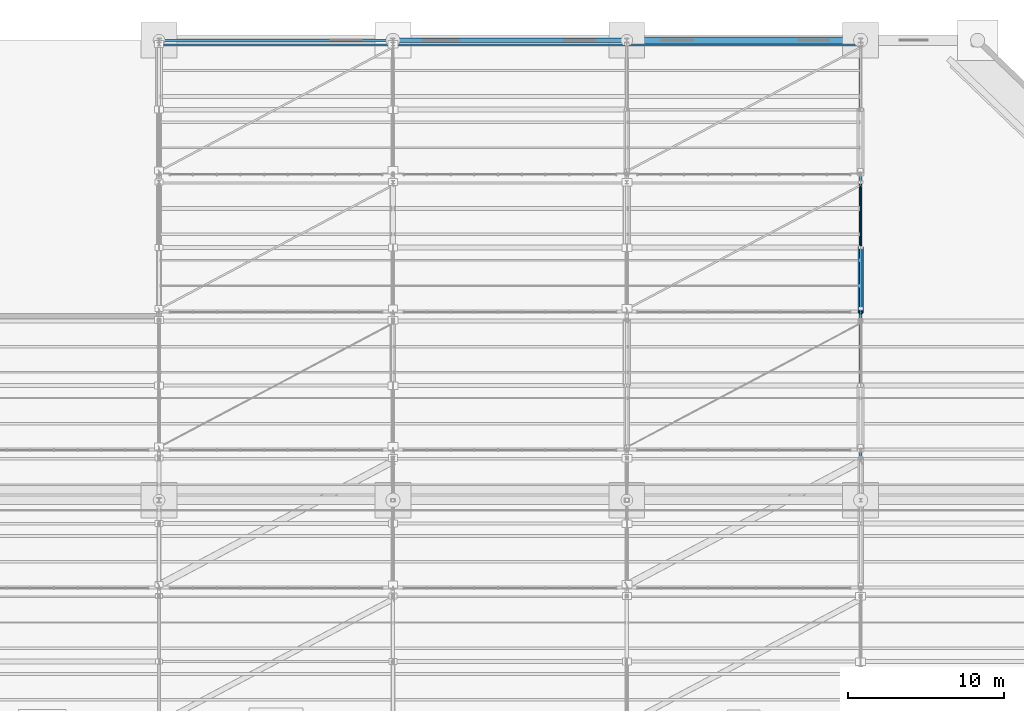
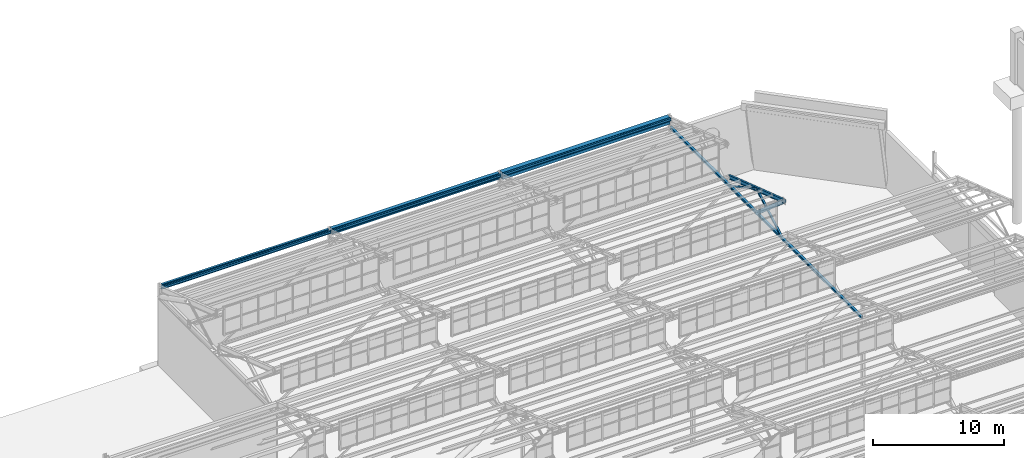
# One storey, part 138 of 285: 8 beams, 3 members.
"""IFC4 building model written with IfcOpenShell, lengths in metres."""

from ifc_helpers import new_model, si_unit, direction, frame, origin, origin_2d, place, context, subcontext, project, spatial, rectangle, hollow_rectangle, hollow_circle, i_section, extrude, material, material_profile, profile_set, type_object, element, save


model = new_model("IFC4")

# Units and contexts
model_context = context("Model", 3, precision=1e-05, world=origin(), true_north=direction((0.0, 1.0)))
body_context = subcontext(model_context, "Body", "Model", "MODEL_VIEW")
ifc_project = project(units=[si_unit("LENGTHUNIT", "METRE"), si_unit("AREAUNIT", "SQUARE_METRE"), si_unit("VOLUMEUNIT", "CUBIC_METRE"), si_unit("PLANEANGLEUNIT", "RADIAN"), si_unit("MASSUNIT", "GRAM", prefix="KILO")], contexts=[model_context])

# Site, building, storey
site_placement = place(None, origin())
site = spatial("IfcSite", under=ifc_project, at=site_placement, CompositionType="ELEMENT")
building_placement = place(site_placement, origin())
building = spatial("IfcBuilding", under=site, at=building_placement, Name="Solanera Park Tramway Depot", CompositionType="ELEMENT")
storey_placement = place(building_placement, origin())
storey = spatial("IfcBuildingStorey", under=building, at=storey_placement, Name="L00", CompositionType="ELEMENT", Elevation=0.0)

# Beams
ifc_material_1 = material(Name="Steel AS/NZS 3679.1 Grade 350", Category="steel")
ifc_material_profile_1 = material_profile(ifc_material_1, i_section(OverallWidth=0.1904296875, OverallDepth=0.45751953125, WebThickness=0.009033203125, FlangeThickness=0.014404296875, at=origin_2d()), Name="460UB74.6")
ifc_profile_set_1 = profile_set([ifc_material_profile_1], Name="Steel AS/NZS 3679.1 Grade 350")
beam_type_1 = type_object("IfcBeamType", Name="Perimeter Spandrel Beam 460UB74.6", PredefinedType="SPANDREL", material=ifc_profile_set_1)
beam_1_placement = place(storey_placement, frame((90.1201171875, 144.0, 7.271240234375), z_axis=(1.0, 0.0, 0.0), x_axis=(0.0, 1.0, 0.0)))
element("IfcBeam", 1, at=beam_1_placement, inside=storey, type_object=beam_type_1, Name="L00 Hall Eave Spandrel 460UB74.6 #0289", PredefinedType="SPANDREL", context=body_context, shape_type="SweptSolid", body=[
    extrude(i_section(OverallWidth=0.1904296875, OverallDepth=0.45751953125, WebThickness=0.009033203125, FlangeThickness=0.014404296875, at=origin_2d()), origin(), (0.0, 0.0, 1.0), 14.759765625),
])
ifc_material_2 = material(Name="Concrete N40 (C40/50)", Category="concrete")
ifc_material_profile_2 = material_profile(ifc_material_2, rectangle(XDim=0.300048828125, YDim=0.550048828125, at=origin_2d()), Name="SPB 300x550")
ifc_profile_set_2 = profile_set([ifc_material_profile_2], Name="Concrete N40 (C40/50)")
beam_type_2 = type_object("IfcBeamType", Name="Perimeter Spandrel Beam SPB 300x550", PredefinedType="SPANDREL", material=ifc_profile_set_2)
beam_2_placement = place(storey_placement, frame((105.1201171875, 144.0, 7.22509765625), z_axis=(1.0, 0.0, 0.0), x_axis=(0.0, 1.0, 0.0)))
element("IfcBeam", 2, at=beam_2_placement, inside=storey, type_object=beam_type_2, Name="L00 Hall Eave Spandrel SPB 300x550 #0291", PredefinedType="SPANDREL", context=body_context, shape_type="SweptSolid", body=[
    extrude(rectangle(XDim=0.300048828125, YDim=0.550048828125, at=origin_2d()), origin(), (0.0, 0.0, 1.0), 14.759765625),
])
ifc_material_3 = material(Name="Concrete N40 (C40/50)", Category="concrete")
ifc_material_profile_3 = material_profile(ifc_material_3, rectangle(XDim=0.39990234375, YDim=0.64990234375, at=origin_2d()), Name="SPB 400x650")
ifc_profile_set_3 = profile_set([ifc_material_profile_3], Name="Concrete N40 (C40/50)")
beam_type_3 = type_object("IfcBeamType", Name="Perimeter Spandrel Beam SPB 400x650", PredefinedType="SPANDREL", material=ifc_profile_set_3)
beam_3_placement = place(storey_placement, frame((120.1201171875, 144.0, 7.175048828125), z_axis=(1.0, 0.0, 0.0), x_axis=(0.0, 1.0, 0.0)))
element("IfcBeam", 3, at=beam_3_placement, inside=storey, type_object=beam_type_3, Name="L00 Hall Eave Spandrel SPB 400x650 #0293", PredefinedType="SPANDREL", context=body_context, shape_type="SweptSolid", body=[
    extrude(rectangle(XDim=0.39990234375, YDim=0.64990234375, at=origin_2d()), origin(), (0.0, 0.0, 1.0), 14.759765625),
])

# Member
ifc_material_4 = material(Name="Steel AS/NZS 1163 Grade C350L0", Category="steel")
ifc_material_profile_4 = material_profile(ifc_material_4, hollow_rectangle(XDim=0.14990234375, YDim=0.14990234375, WallThickness=0.006103515625, at=origin_2d()), Name="150x150x6.0 SHS")
ifc_profile_set_4 = profile_set([ifc_material_profile_4], Name="Steel AS/NZS 1163 Grade C350L0")
member_type_1 = type_object("IfcMemberType", Name="Roof Gantry Compression Strut 150x150x6.0 SHS", PredefinedType="STRUT", material=ifc_profile_set_4)
member_1_placement = place(storey_placement, frame((135.0, 126.800048828125, 6.5), z_axis=(0.0, 0.869202540842, 0.49445620938), x_axis=(-1.0, 0.0, 0.0)))
element("IfcMember", 4, at=member_1_placement, inside=storey, type_object=member_type_1, Name="Sawtooth ROOF TRUSS Strut 150x150x6.0 SHS #0390", PredefinedType="STRUT", context=body_context, shape_type="SweptSolid", body=[
    extrude(hollow_rectangle(XDim=0.14990234375, YDim=0.14990234375, WallThickness=0.006103515625, at=origin_2d()), origin(), (0.0, 0.0, 1.0), 4.48681640625),
])

# Beams
ifc_material_5 = material(Name="Steel AS/NZS 3679.1 Grade 350", Category="steel")
ifc_material_profile_5 = material_profile(ifc_material_5, i_section(OverallWidth=0.203369140625, OverallDepth=0.203369140625, WebThickness=0.00732421875, FlangeThickness=0.010986328125, at=origin_2d()), Name="200UC46.2")
ifc_profile_set_5 = profile_set([ifc_material_profile_5], Name="Steel AS/NZS 3679.1 Grade 350")
beam_type_4 = type_object("IfcBeamType", Name="Steel Beam 200UC46.2", PredefinedType="BEAM", material=ifc_profile_set_5)
beam_4_placement = place(storey_placement, frame((135.0, 114.601806640625, 6.5), z_axis=(0.0, 1.0, 0.0), x_axis=(-1.0, 0.0, 0.0)))
element("IfcBeam", 5, at=beam_4_placement, inside=storey, type_object=beam_type_4, Name="Sawtooth ROOF TRUSS Bottom Chord 200UC46.2 #0396", PredefinedType="BEAM", context=body_context, shape_type="SweptSolid", body=[
    extrude(i_section(OverallWidth=0.203369140625, OverallDepth=0.203369140625, WebThickness=0.00732421875, FlangeThickness=0.010986328125, at=origin_2d()), origin(), (0.0, 0.0, 1.0), 29.2705078125),
])
ifc_material_6 = material(Name="Steel AS/NZS 3679.1 Grade 350", Category="steel")
ifc_material_profile_6 = material_profile(ifc_material_6, i_section(OverallWidth=0.17138671875, OverallDepth=0.355712890625, WebThickness=0.00732421875, FlangeThickness=0.011474609375, at=origin_2d()), Name="360UB50.7")
ifc_profile_set_6 = profile_set([ifc_material_profile_6], Name="Steel AS/NZS 3679.1 Grade 350")
beam_type_5 = type_object("IfcBeamType", Name="Steel Beam 360UB50.7", PredefinedType="BEAM", material=ifc_profile_set_6)
beam_5_placement = place(storey_placement, frame((135.0, 126.550048828125, 10.10693359375), z_axis=(0.0, 0.948319437663, -0.317317261034), x_axis=(-1.0, 0.0, 0.0)))
element("IfcBeam", 6, at=beam_5_placement, inside=storey, type_object=beam_type_5, Name="Sawtooth ROOF TRUSS Top Rafter 360UB50.7 B09-T8", PredefinedType="BEAM", context=body_context, shape_type="SweptSolid", body=[
    extrude(i_section(OverallWidth=0.17138671875, OverallDepth=0.355712890625, WebThickness=0.00732421875, FlangeThickness=0.011474609375, at=origin_2d()), origin(), (0.0, 0.0, 1.0), 8.804931640625),
])
ifc_material_7 = material(Name="Steel AS/NZS 3679.1 Grade 350", Category="steel")
ifc_material_profile_7 = material_profile(ifc_material_7, i_section(OverallWidth=0.14599609375, OverallDepth=0.251708984375, WebThickness=0.006103515625, FlangeThickness=0.008544921875, at=origin_2d()), Name="250UB31.4")
ifc_profile_set_7 = profile_set([ifc_material_profile_7], Name="Steel AS/NZS 3679.1 Grade 350")
beam_type_6 = type_object("IfcBeamType", Name="Steel Joist Purlin 250UB31.4", PredefinedType="JOIST", material=ifc_profile_set_7)
beam_6_placement = place(storey_placement, frame((90.0966796875, 143.699951171875, 7.37939453125), z_axis=(1.0, 0.0, 0.0), x_axis=(0.0, 1.0, 0.0)))
element("IfcBeam", 7, at=beam_6_placement, inside=storey, type_object=beam_type_6, Name="Sawtooth Roof Purlin 250UB31.4 B10.6", PredefinedType="JOIST", context=body_context, shape_type="SweptSolid", body=[
    extrude(i_section(OverallWidth=0.14599609375, OverallDepth=0.251708984375, WebThickness=0.006103515625, FlangeThickness=0.008544921875, at=origin_2d()), origin(), (0.0, 0.0, 1.0), 14.828369140625),
])
beam_7_placement = place(storey_placement, frame((105.074951171875, 143.699951171875, 7.37939453125), z_axis=(1.0, 0.0, 0.0), x_axis=(0.0, 1.0, 0.0)))
element("IfcBeam", 8, at=beam_7_placement, inside=storey, type_object=beam_type_6, Name="Sawtooth Roof Purlin 250UB31.4 B10.6", PredefinedType="JOIST", context=body_context, shape_type="SweptSolid", body=[
    extrude(i_section(OverallWidth=0.14599609375, OverallDepth=0.251708984375, WebThickness=0.006103515625, FlangeThickness=0.008544921875, at=origin_2d()), origin(), (0.0, 0.0, 1.0), 14.84716796875),
])
beam_8_placement = place(storey_placement, frame((120.077880859375, 143.699951171875, 7.37939453125), z_axis=(1.0, 0.0, 0.0), x_axis=(0.0, 1.0, 0.0)))
element("IfcBeam", 9, at=beam_8_placement, inside=storey, type_object=beam_type_6, Name="Sawtooth Roof Purlin 250UB31.4 B10.6", PredefinedType="JOIST", context=body_context, shape_type="SweptSolid", body=[
    extrude(i_section(OverallWidth=0.14599609375, OverallDepth=0.251708984375, WebThickness=0.006103515625, FlangeThickness=0.008544921875, at=origin_2d()), origin(), (0.0, 0.0, 1.0), 14.84130859375),
])

# Members
ifc_material_8 = material(Name="Steel AS/NZS 1163 Grade C350L0", Category="steel")
ifc_material_profile_8 = material_profile(ifc_material_8, hollow_rectangle(XDim=0.050048828125, YDim=0.14990234375, WallThickness=0.0048828125, at=origin_2d()), Name="150x50x5.0 RHS")
ifc_profile_set_8 = profile_set([ifc_material_profile_8], Name="Steel AS/NZS 1163 Grade C350L0")
member_type_2 = type_object("IfcMemberType", Name="Truss and Frame Brace 150x50x5.0 RHS", PredefinedType="BRACE", material=ifc_profile_set_8)
member_2_placement = place(storey_placement, frame((135.0, 134.89990234375, 6.5), z_axis=(0.0, -0.884222622593, 0.467065684561), x_axis=(1.0, 0.0, 0.0)))
element("IfcMember", 10, at=member_2_placement, inside=storey, type_object=member_type_2, Name="Sawtooth ROOF TRUSS Diagonal 150x50x5.0 RHS #0389", PredefinedType="BRACE", context=body_context, shape_type="SweptSolid", body=[
    extrude(hollow_rectangle(XDim=0.050048828125, YDim=0.14990234375, WallThickness=0.0048828125, at=origin_2d()), origin(), (0.0, 0.0, 1.0), 4.75),
])
ifc_material_9 = material(Name="Steel AS/NZS 1163 Grade C350L0", Category="steel")
ifc_material_profile_9 = material_profile(ifc_material_9, hollow_circle(Radius=0.177734375, WallThickness=0.0126953125, at=origin_2d()), Name="355.6x12.7 CHS")
ifc_profile_set_9 = profile_set([ifc_material_profile_9], Name="Steel AS/NZS 1163 Grade C350L0")
member_type_3 = type_object("IfcMemberType", Name="Truss and Frame Brace 355.6x12.7 CHS", PredefinedType="BRACE", material=ifc_profile_set_9)
member_3_placement = place(storey_placement, frame((135.0, 130.699951171875, 6.5), z_axis=(0.0, -0.754756538157, 0.656005006162), x_axis=(1.0, 0.0, 0.0)))
element("IfcMember", 11, at=member_3_placement, inside=storey, type_object=member_type_3, Name="Sawtooth ROOF TRUSS Web Brace 355.6x12.7 CHS #0388", PredefinedType="BRACE", context=body_context, shape_type="SweptSolid", body=[
    extrude(hollow_circle(Radius=0.177734375, WallThickness=0.0126953125, at=origin_2d()), origin(), (0.0, 0.0, 1.0), 5.498291015625),
])

save(model, "model.ifc")
